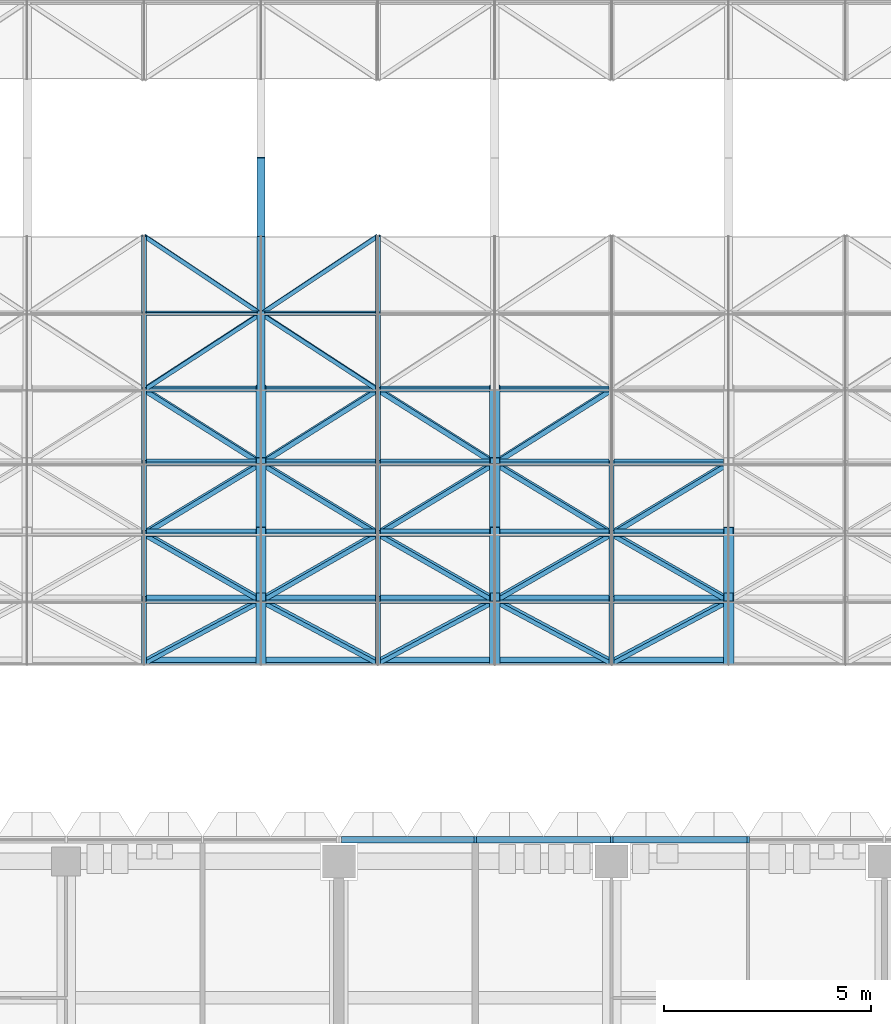
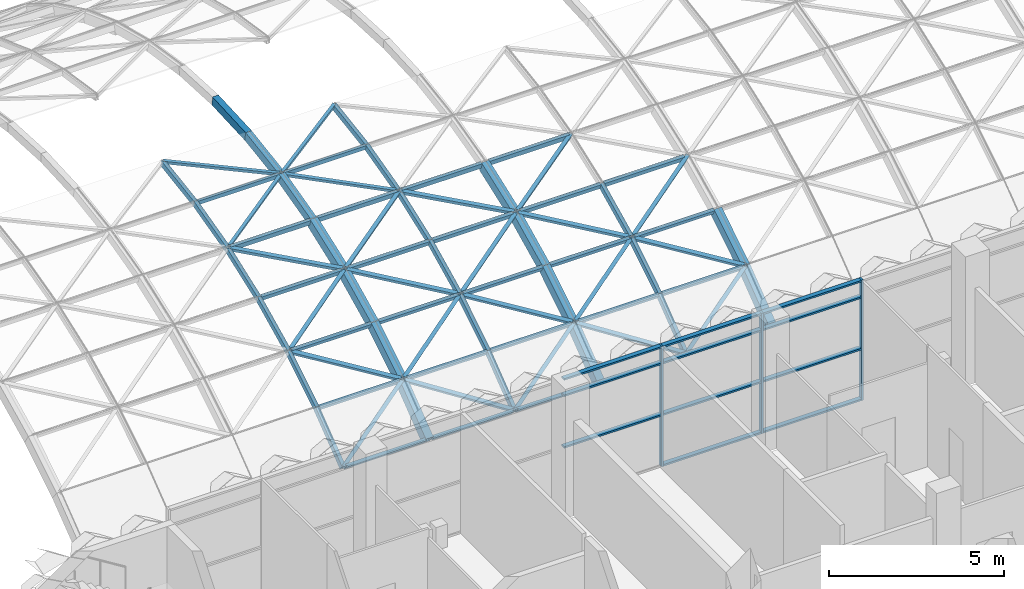
# One storey, part 11 of 85: 91 members, 1 element without a shape of its own.
"""IFC4 building model written with IfcOpenShell, lengths in metres."""

from ifc_helpers import new_model, si_unit, direction, frame, origin, origin_2d, place, context, subcontext, project, spatial, rectangle, hollow_rectangle, extrude, material, material_profile, profile_set, type_object, element, aggregate, save


model = new_model("IFC4")

# Units and contexts
model_context = context("Model", 3, precision=1e-05, world=origin(), true_north=direction((0.0, 1.0)))
body_context = subcontext(model_context, "Body", "Model", "MODEL_VIEW")
ifc_project = project(units=[si_unit("LENGTHUNIT", "METRE"), si_unit("AREAUNIT", "SQUARE_METRE"), si_unit("VOLUMEUNIT", "CUBIC_METRE"), si_unit("PLANEANGLEUNIT", "RADIAN"), si_unit("MASSUNIT", "GRAM", prefix="KILO")], contexts=[model_context])

# Site, building, storey
site_placement = place(None, origin())
site = spatial("IfcSite", under=ifc_project, at=site_placement, CompositionType="ELEMENT")
building_placement = place(site_placement, origin())
building = spatial("IfcBuilding", under=site, at=building_placement, Name="Lantern Court Research Institute", CompositionType="ELEMENT")
storey_placement = place(building_placement, frame((0.0, 0.0, 18.89990234375)))
storey = spatial("IfcBuildingStorey", under=building, at=storey_placement, Name="L04", CompositionType="ELEMENT", Elevation=18.89990234375)

# Members
ifc_material_1 = material(Name="Structural steel S355", Category="steel")
ifc_material_profile_1 = material_profile(ifc_material_1, hollow_rectangle(XDim=0.080078125, YDim=0.159912109375, WallThickness=0.00634765625, at=origin_2d()), Name="Gridshell crown purlin RHS 160 x 80 x 6.3")
ifc_profile_set_1 = profile_set([ifc_material_profile_1], Name="Structural steel S355")
member_type_1 = type_object("IfcMemberType", Name="Gridshell crown purlin RHS 160 x 80 x 6.3", PredefinedType="PURLIN", material=ifc_profile_set_1)
for number, where, z_axis, x_axis, name in (
    (1, (48.145751953125, 36.360107421875, 4.23974609375), (1.0, 0.0, 0.0), (0.0, 0.979787176632, 0.200042716708), "Gridshell purlin"),
    (2, (51.014404296875, 36.360107421875, 4.23974609375), (1.0, 0.0, 0.0), (0.0, 0.979787176632, 0.200042716708), "Gridshell purlin"),
):
    element("IfcMember", number, at=place(storey_placement, frame(where, z_axis=z_axis, x_axis=x_axis)), inside=storey, type_object=member_type_1, Name=name, PredefinedType="PURLIN", context=body_context, shape_type="SweptSolid", body=[
        extrude(hollow_rectangle(XDim=0.080078125, YDim=0.159912109375, WallThickness=0.00634765625, at=origin_2d()), origin(), (0.0, 0.0, 1.0), 2.66845703125),
    ])
ifc_material_2 = material(Name="Structural steel S355", Category="steel")
ifc_material_profile_2 = material_profile(ifc_material_2, hollow_rectangle(XDim=0.199951171875, YDim=0.300048828125, WallThickness=0.012451171875, at=origin_2d()), Name="Gridshell crown rib RHS 300 x 200 x 12.5")
ifc_profile_set_2 = profile_set([ifc_material_profile_2], Name="Structural steel S355")
member_type_2 = type_object("IfcMemberType", Name="Gridshell crown rib RHS 300 x 200 x 12.5", PredefinedType="RAFTER", material=ifc_profile_set_2)
for number, where, z_axis, x_axis, name in (
    (3, (50.914306640625, 34.5390625, 3.698974609375), (0.0, 0.968482319701, 0.249082308538), (-1.0, 0.0, 0.0), "Gridshell rib"),
    (4, (50.914306640625, 36.36669921875, 4.169677734375), (0.0, 0.988606386846, 0.150523791767), (-1.0, 0.0, 0.0), "Gridshell rib"),
    (5, (50.914306640625, 38.232421875, 4.45458984375), (0.0, 0.998734031897, 0.050302420725), (-1.0, 0.0, 0.0), "Gridshell rib"),
):
    element("IfcMember", number, at=place(storey_placement, frame(where, z_axis=z_axis, x_axis=x_axis)), inside=storey, type_object=member_type_2, Name=name, PredefinedType="RAFTER", context=body_context, shape_type="SweptSolid", body=[
        extrude(hollow_rectangle(XDim=0.199951171875, YDim=0.300048828125, WallThickness=0.012451171875, at=origin_2d()), origin(), (0.0, 0.0, 1.0), 1.902587890625),
    ])
ifc_material_3 = material(Name="Structural steel S355", Category="steel")
ifc_material_profile_3 = material_profile(ifc_material_3, hollow_rectangle(XDim=0.10009765625, YDim=0.10009765625, WallThickness=0.00634765625, at=origin_2d()), Name="Gridshell diagonal RHS 100 x 100 x 6.3")
ifc_profile_set_3 = profile_set([ifc_material_profile_3], Name="Structural steel S355")
member_type_3 = type_object("IfcMemberType", Name="Gridshell diagonal RHS 100 x 100 x 6.3", PredefinedType="BRACE", material=ifc_profile_set_3)
member_1_placement = place(storey_placement, frame((48.085693359375, 34.51416015625, 3.795654296875), z_axis=(0.829775619624, 0.540507215717, 0.139012124779), x_axis=(-0.558097142967, 0.803618783295, 0.206698887629)))
element("IfcMember", 6, at=member_1_placement, inside=storey, type_object=member_type_3, Name="Gridshell diagonal", PredefinedType="BRACE", context=body_context, shape_type="SweptSolid", body=[
    extrude(hollow_rectangle(XDim=0.10009765625, YDim=0.10009765625, WallThickness=0.00634765625, at=origin_2d()), origin(), (0.0, 0.0, 1.0), 3.408935546875),
])
member_2_placement = place(storey_placement, frame((50.914306640625, 36.351806640625, 4.2685546875), z_axis=(-0.82980233239, 0.551697511341, 0.084011577412), x_axis=(-0.558057423637, -0.82035435083, -0.124862528398)))
element("IfcMember", 7, at=member_2_placement, inside=storey, type_object=member_type_3, Name="Gridshell diagonal", PredefinedType="BRACE", context=body_context, shape_type="SweptSolid", body=[
    extrude(hollow_rectangle(XDim=0.10009765625, YDim=0.10009765625, WallThickness=0.00634765625, at=origin_2d()), origin(), (0.0, 0.0, 1.0), 3.40869140625),
])
member_3_placement = place(storey_placement, frame((53.742919921875, 34.51416015625, 3.795654296875), z_axis=(-0.829775619624, 0.540507215717, 0.139012124779), x_axis=(-0.558097142967, -0.803618783295, -0.206698887629)))
element("IfcMember", 8, at=member_3_placement, inside=storey, type_object=member_type_3, Name="Gridshell diagonal", PredefinedType="BRACE", context=body_context, shape_type="SweptSolid", body=[
    extrude(hollow_rectangle(XDim=0.10009765625, YDim=0.10009765625, WallThickness=0.00634765625, at=origin_2d()), origin(), (0.0, 0.0, 1.0), 3.408935546875),
])
member_4_placement = place(storey_placement, frame((50.914306640625, 36.351806640625, 4.2685546875), z_axis=(0.82980233239, 0.551697511341, 0.084011577412), x_axis=(-0.558057423637, 0.82035435083, 0.124862528398)))
element("IfcMember", 9, at=member_4_placement, inside=storey, type_object=member_type_3, Name="Gridshell diagonal", PredefinedType="BRACE", context=body_context, shape_type="SweptSolid", body=[
    extrude(hollow_rectangle(XDim=0.10009765625, YDim=0.10009765625, WallThickness=0.00634765625, at=origin_2d()), origin(), (0.0, 0.0, 1.0), 3.40869140625),
])
ifc_material_4 = material(Name="Structural steel S355", Category="steel")
ifc_material_profile_4 = material_profile(ifc_material_4, hollow_rectangle(XDim=0.1201171875, YDim=0.1201171875, WallThickness=0.008056640625, at=origin_2d()), Name="Gridshell haunch diagonal RHS 120 x 120 x 8")
ifc_profile_set_4 = profile_set([ifc_material_profile_4], Name="Structural steel S355")
member_type_4 = type_object("IfcMemberType", Name="Gridshell haunch diagonal RHS 120 x 120 x 8", PredefinedType="BRACE", material=ifc_profile_set_4)
for number, where, z_axis, x_axis, name in (
    (10, (48.085693359375, 27.9150390625, 0.148193359375), (0.82977993963, 0.442749834869, 0.339761439117), (-0.558090719968, 0.658279580966, 0.505175951099), "Gridshell diagonal"),
    (11, (50.914306640625, 29.419189453125, 1.302978515625), (-0.82977711353, 0.474690377048, 0.293494442538), (-0.558094919699, -0.705724175305, -0.436444096072), "Gridshell diagonal"),
    (12, (48.085693359375, 31.031982421875, 2.300537109375), (0.829773300042, 0.501760032806, 0.244362722229), (-0.558100591295, 0.746025342522, 0.363276641571), "Gridshell diagonal"),
    (13, (50.914306640625, 32.73681640625, 3.131103515625), (-0.829762838758, 0.523811962945, 0.192651651671), (-0.558116144955, -0.778754373318, -0.286440211525), "Gridshell diagonal"),
    (14, (53.742919921875, 27.9150390625, 0.148193359375), (-0.82977993963, 0.442749834869, 0.339761439117), (-0.558090719968, -0.658279580966, -0.505175951099), "Gridshell diagonal"),
    (15, (50.914306640625, 29.419189453125, 1.302978515625), (0.82977711353, 0.474690377048, 0.293494442538), (-0.558094919699, 0.705724175305, 0.436444096072), "Gridshell diagonal"),
    (16, (53.742919921875, 31.031982421875, 2.300537109375), (-0.829773300042, 0.501760032806, 0.244362722229), (-0.558100591295, -0.746025342522, -0.363276641571), "Gridshell diagonal"),
    (17, (50.914306640625, 32.73681640625, 3.131103515625), (0.829762838758, 0.523811962945, 0.192651651671), (-0.558116144955, 0.778754373318, 0.286440211525), "Gridshell diagonal"),
    (18, (53.742919921875, 27.9150390625, 0.148193359375), (0.82977993963, 0.442749834869, 0.339761439117), (-0.558090719968, 0.658279580966, 0.505175951099), "Gridshell diagonal"),
    (19, (56.571533203125, 29.419189453125, 1.302978515625), (-0.82977711353, 0.474690377048, 0.293494442538), (-0.558094919699, -0.705724175305, -0.436444096072), "Gridshell diagonal"),
    (20, (53.742919921875, 31.031982421875, 2.300537109375), (0.829773300042, 0.501760032806, 0.244362722229), (-0.558100591295, 0.746025342522, 0.363276641571), "Gridshell diagonal"),
    (21, (56.571533203125, 32.73681640625, 3.131103515625), (-0.829762838758, 0.523811962945, 0.192651651671), (-0.558116144955, -0.778754373318, -0.286440211525), "Gridshell diagonal"),
):
    element("IfcMember", number, at=place(storey_placement, frame(where, z_axis=z_axis, x_axis=x_axis)), inside=storey, type_object=member_type_4, Name=name, PredefinedType="BRACE", context=body_context, shape_type="SweptSolid", body=[
        extrude(hollow_rectangle(XDim=0.1201171875, YDim=0.1201171875, WallThickness=0.008056640625, at=origin_2d()), origin(), (0.0, 0.0, 1.0), 3.408935546875),
    ])
for number, where, z_axis, x_axis, name in (
    (22, (59.39990234375, 27.9150390625, 0.148193359375), (-0.829757630752, 0.442776147891, 0.339781631445), (-0.558123887656, -0.658254466927, -0.505172032874), "Gridshell diagonal"),
    (23, (56.571533203125, 29.419189453125, 1.302978515625), (0.829754804392, 0.474718588132, 0.293511885058), (-0.55812808698, 0.705699457062, 0.436441651113), "Gridshell diagonal"),
    (24, (59.39990234375, 31.031982421875, 2.300537109375), (-0.829750990554, 0.50178985238, 0.244377244693), (-0.558133759376, -0.746001196046, -0.363275270481), "Gridshell diagonal"),
    (25, (56.571533203125, 32.73681640625, 3.131103515625), (0.829740528308, 0.523843092278, 0.19266310066), (-0.558149312823, 0.778730842923, 0.28643955536), "Gridshell diagonal"),
):
    element("IfcMember", number, at=place(storey_placement, frame(where, z_axis=z_axis, x_axis=x_axis)), inside=storey, type_object=member_type_4, Name=name, PredefinedType="BRACE", context=body_context, shape_type="SweptSolid", body=[
        extrude(hollow_rectangle(XDim=0.1201171875, YDim=0.1201171875, WallThickness=0.008056640625, at=origin_2d()), origin(), (0.0, 0.0, 1.0), 3.40869140625),
    ])
for number, where, z_axis, x_axis, name in (
    (26, (59.39990234375, 27.9150390625, 0.148193359375), (0.82977993963, 0.442749834869, 0.339761439117), (-0.558090719968, 0.658279580966, 0.505175951099), "Gridshell diagonal"),
    (27, (62.228515625, 29.419189453125, 1.302978515625), (-0.82977711353, 0.474690377048, 0.293494442538), (-0.558094919699, -0.705724175305, -0.436444096072), "Gridshell diagonal"),
    (28, (59.39990234375, 31.031982421875, 2.300537109375), (0.829773300042, 0.501760032806, 0.244362722229), (-0.558100591295, 0.746025342522, 0.363276641571), "Gridshell diagonal"),
):
    element("IfcMember", number, at=place(storey_placement, frame(where, z_axis=z_axis, x_axis=x_axis)), inside=storey, type_object=member_type_4, Name=name, PredefinedType="BRACE", context=body_context, shape_type="SweptSolid", body=[
        extrude(hollow_rectangle(XDim=0.1201171875, YDim=0.1201171875, WallThickness=0.008056640625, at=origin_2d()), origin(), (0.0, 0.0, 1.0), 3.408935546875),
    ])
ifc_material_5 = material(Name="Structural steel S355", Category="steel")
ifc_material_profile_5 = material_profile(ifc_material_5, hollow_rectangle(XDim=0.25, YDim=0.35009765625, WallThickness=0.01611328125, at=origin_2d()), Name="Gridshell haunch rib RHS 350 x 250 x 16")
ifc_profile_set_5 = profile_set([ifc_material_profile_5], Name="Structural steel S355")
member_type_5 = type_object("IfcMemberType", Name="Gridshell haunch rib RHS 350 x 250 x 16", PredefinedType="RAFTER", material=ifc_profile_set_5)
member_5_placement = place(storey_placement, frame((50.914306640625, 27.985107421875, 0.056884765625), z_axis=(0.0, 0.793329505358, 0.608792490039), x_axis=(-1.0, 0.0, 0.0)))
element("IfcMember", 29, at=member_5_placement, inside=storey, type_object=member_type_5, Name="Gridshell rib", PredefinedType="RAFTER", context=body_context, shape_type="SweptSolid", body=[
    extrude(hollow_rectangle(XDim=0.25, YDim=0.35009765625, WallThickness=0.01611328125, at=origin_2d()), origin(), (0.0, 0.0, 1.0), 1.90234375),
])
member_6_placement = place(storey_placement, frame((50.914306640625, 29.479736328125, 1.205078125), z_axis=(0.0, 0.850497510265, 0.525979072809), x_axis=(-1.0, 0.0, 0.0)))
element("IfcMember", 30, at=member_6_placement, inside=storey, type_object=member_type_5, Name="Gridshell rib", PredefinedType="RAFTER", context=body_context, shape_type="SweptSolid", body=[
    extrude(hollow_rectangle(XDim=0.25, YDim=0.35009765625, WallThickness=0.01611328125, at=origin_2d()), origin(), (0.0, 0.0, 1.0), 1.902587890625),
])
for number, where, z_axis, x_axis, name in (
    (31, (50.914306640625, 31.082275390625, 2.197265625), (0.0, 0.899099966644, 0.437743360865), (-1.0, 0.0, 0.0), "Gridshell rib"),
    (32, (50.914306640625, 32.776611328125, 3.023193359375), (0.0, 0.938520472327, 0.345223584105), (-1.0, 0.0, 0.0), "Gridshell rib"),
    (33, (56.571533203125, 27.985107421875, 0.056884765625), (0.0, 0.793329505358, 0.608792490039), (-1.0, 0.0, 0.0), "Gridshell rib"),
):
    element("IfcMember", number, at=place(storey_placement, frame(where, z_axis=z_axis, x_axis=x_axis)), inside=storey, type_object=member_type_5, Name=name, PredefinedType="RAFTER", context=body_context, shape_type="SweptSolid", body=[
        extrude(hollow_rectangle(XDim=0.25, YDim=0.35009765625, WallThickness=0.01611328125, at=origin_2d()), origin(), (0.0, 0.0, 1.0), 1.90234375),
    ])
member_7_placement = place(storey_placement, frame((56.571533203125, 29.479736328125, 1.205078125), z_axis=(0.0, 0.850497510265, 0.525979072809), x_axis=(-1.0, 0.0, 0.0)))
element("IfcMember", 34, at=member_7_placement, inside=storey, type_object=member_type_5, Name="Gridshell rib", PredefinedType="RAFTER", context=body_context, shape_type="SweptSolid", body=[
    extrude(hollow_rectangle(XDim=0.25, YDim=0.35009765625, WallThickness=0.01611328125, at=origin_2d()), origin(), (0.0, 0.0, 1.0), 1.902587890625),
])
for number, where, z_axis, x_axis, name in (
    (35, (56.571533203125, 31.082275390625, 2.197265625), (0.0, 0.899099966644, 0.437743360865), (-1.0, 0.0, 0.0), "Gridshell rib"),
    (36, (56.571533203125, 32.776611328125, 3.023193359375), (0.0, 0.938520472327, 0.345223584105), (-1.0, 0.0, 0.0), "Gridshell rib"),
    (37, (62.228515625, 27.985107421875, 0.056884765625), (0.0, 0.793329505358, 0.608792490039), (-1.0, 0.0, 0.0), "Gridshell rib"),
):
    element("IfcMember", number, at=place(storey_placement, frame(where, z_axis=z_axis, x_axis=x_axis)), inside=storey, type_object=member_type_5, Name=name, PredefinedType="RAFTER", context=body_context, shape_type="SweptSolid", body=[
        extrude(hollow_rectangle(XDim=0.25, YDim=0.35009765625, WallThickness=0.01611328125, at=origin_2d()), origin(), (0.0, 0.0, 1.0), 1.90234375),
    ])
member_8_placement = place(storey_placement, frame((62.228515625, 29.479736328125, 1.205078125), z_axis=(0.0, 0.850497510265, 0.525979072809), x_axis=(-1.0, 0.0, 0.0)))
element("IfcMember", 38, at=member_8_placement, inside=storey, type_object=member_type_5, Name="Gridshell rib", PredefinedType="RAFTER", context=body_context, shape_type="SweptSolid", body=[
    extrude(hollow_rectangle(XDim=0.25, YDim=0.35009765625, WallThickness=0.01611328125, at=origin_2d()), origin(), (0.0, 0.0, 1.0), 1.902587890625),
])
ifc_material_6 = material(Name="Structural steel S355", Category="steel")
ifc_material_profile_6 = material_profile(ifc_material_6, hollow_rectangle(XDim=0.10009765625, YDim=0.199951171875, WallThickness=0.008056640625, at=origin_2d()), Name="Gridshell purlin RHS 200 x 100 x 8")
ifc_profile_set_6 = profile_set([ifc_material_profile_6], Name="Structural steel S355")
member_type_6 = type_object("IfcMemberType", Name="Gridshell purlin RHS 200 x 100 x 8", PredefinedType="PURLIN", material=ifc_profile_set_6)
for number, where, z_axis, x_axis, name in (
    (39, (48.145751953125, 27.943359375, 0.11962890625), (1.0, 0.0, 0.0), (0.0, 0.761672913152, 0.647961706717), "Gridshell purlin"),
    (40, (51.039306640625, 27.943359375, 0.11962890625), (1.0, 0.0, 0.0), (0.0, 0.761672913152, 0.647961706717), "Gridshell purlin"),
    (41, (53.802978515625, 27.943359375, 0.11962890625), (1.0, 0.0, 0.0), (0.0, 0.761672913152, 0.647961706717), "Gridshell purlin"),
    (42, (56.696533203125, 27.943359375, 0.11962890625), (1.0, 0.0, 0.0), (0.0, 0.761672913152, 0.647961706717), "Gridshell purlin"),
    (43, (59.4599609375, 27.943359375, 0.11962890625), (1.0, 0.0, 0.0), (0.0, 0.761672913152, 0.647961706717), "Gridshell purlin"),
    (44, (48.145751953125, 29.444580078125, 1.271728515625), (1.0, 0.0, 0.0), (0.0, 0.822954255966, 0.568107641726), "Gridshell purlin"),
    (45, (51.039306640625, 29.444580078125, 1.271728515625), (1.0, 0.0, 0.0), (0.0, 0.822954255966, 0.568107641726), "Gridshell purlin"),
    (46, (53.802978515625, 29.444580078125, 1.271728515625), (1.0, 0.0, 0.0), (0.0, 0.822954255966, 0.568107641726), "Gridshell purlin"),
    (47, (56.696533203125, 29.444580078125, 1.271728515625), (1.0, 0.0, 0.0), (0.0, 0.822954255966, 0.568107641726), "Gridshell purlin"),
    (48, (59.4599609375, 29.444580078125, 1.271728515625), (1.0, 0.0, 0.0), (0.0, 0.822954255966, 0.568107641726), "Gridshell purlin"),
    (49, (48.145751953125, 31.053955078125, 2.266845703125), (1.0, 0.0, 0.0), (0.0, 0.875897373228, 0.482497452399), "Gridshell purlin"),
    (50, (51.039306640625, 31.053955078125, 2.266845703125), (1.0, 0.0, 0.0), (0.0, 0.875897373228, 0.482497452399), "Gridshell purlin"),
    (51, (53.802978515625, 31.053955078125, 2.266845703125), (1.0, 0.0, 0.0), (0.0, 0.875897373228, 0.482497452399), "Gridshell purlin"),
    (52, (56.696533203125, 31.053955078125, 2.266845703125), (1.0, 0.0, 0.0), (0.0, 0.875897373228, 0.482497452399), "Gridshell purlin"),
    (53, (59.4599609375, 31.053955078125, 2.266845703125), (1.0, 0.0, 0.0), (0.0, 0.875897373228, 0.482497452399), "Gridshell purlin"),
    (54, (48.145751953125, 32.75537109375, 3.095458984375), (1.0, 0.0, 0.0), (0.0, 0.919965822984, 0.391998577219), "Gridshell purlin"),
    (55, (51.039306640625, 32.75537109375, 3.095458984375), (1.0, 0.0, 0.0), (0.0, 0.919965822984, 0.391998577219), "Gridshell purlin"),
    (56, (53.802978515625, 32.75537109375, 3.095458984375), (1.0, 0.0, 0.0), (0.0, 0.919965822984, 0.391998577219), "Gridshell purlin"),
    (57, (56.696533203125, 32.75537109375, 3.095458984375), (1.0, 0.0, 0.0), (0.0, 0.919965822984, 0.391998577219), "Gridshell purlin"),
    (58, (59.4599609375, 32.75537109375, 3.095458984375), (1.0, 0.0, 0.0), (0.0, 0.919965822984, 0.391998577219), "Gridshell purlin"),
    (59, (48.145751953125, 34.531494140625, 3.748779296875), (1.0, 0.0, 0.0), (0.0, 0.954713115517, 0.29752792652), "Gridshell purlin"),
    (60, (51.039306640625, 34.531494140625, 3.748779296875), (1.0, 0.0, 0.0), (0.0, 0.954713115517, 0.29752792652), "Gridshell purlin"),
    (61, (53.802978515625, 34.531494140625, 3.748779296875), (1.0, 0.0, 0.0), (0.0, 0.954713115517, 0.29752792652), "Gridshell purlin"),
    (62, (56.696533203125, 34.531494140625, 3.748779296875), (1.0, 0.0, 0.0), (0.0, 0.954713115517, 0.29752792652), "Gridshell purlin"),
):
    element("IfcMember", number, at=place(storey_placement, frame(where, z_axis=z_axis, x_axis=x_axis)), inside=storey, type_object=member_type_6, Name=name, PredefinedType="PURLIN", context=body_context, shape_type="SweptSolid", body=[
        extrude(hollow_rectangle(XDim=0.10009765625, YDim=0.199951171875, WallThickness=0.008056640625, at=origin_2d()), origin(), (0.0, 0.0, 1.0), 2.6435546875),
    ])
ifc_material_7 = material(Name="Structural steel S355", Category="steel")
ifc_material_profile_7 = material_profile(ifc_material_7, hollow_rectangle(XDim=0.1201171875, YDim=0.199951171875, WallThickness=0.008056640625, at=origin_2d()), Name="Gridshell secondary rib RHS 200 x 120 x 8")
ifc_profile_set_7 = profile_set([ifc_material_profile_7], Name="Structural steel S355")
member_type_7 = type_object("IfcMemberType", Name="Gridshell secondary rib RHS 200 x 120 x 8", PredefinedType="RAFTER", material=ifc_profile_set_7)
for number, where, z_axis, x_axis, name in (
    (63, (48.085693359375, 27.939453125, 0.116455078125), (0.0, 0.793329505358, 0.608792490039), (-1.0, 0.0, 0.0), "Gridshell secondary rib"),
    (64, (48.085693359375, 29.4404296875, 1.268798828125), (0.0, 0.850462004525, 0.526036480541), (-1.0, 0.0, 0.0), "Gridshell secondary rib"),
):
    element("IfcMember", number, at=place(storey_placement, frame(where, z_axis=z_axis, x_axis=x_axis)), inside=storey, type_object=member_type_7, Name=name, PredefinedType="RAFTER", context=body_context, shape_type="SweptSolid", body=[
        extrude(hollow_rectangle(XDim=0.1201171875, YDim=0.199951171875, WallThickness=0.008056640625, at=origin_2d()), origin(), (0.0, 0.0, 1.0), 1.90234375),
    ])
member_9_placement = place(storey_placement, frame((48.085693359375, 31.049560546875, 2.2646484375), z_axis=(0.0, 0.899049454889, 0.437847093931), x_axis=(-1.0, 0.0, 0.0)))
element("IfcMember", 65, at=member_9_placement, inside=storey, type_object=member_type_7, Name="Gridshell secondary rib", PredefinedType="RAFTER", context=body_context, shape_type="SweptSolid", body=[
    extrude(hollow_rectangle(XDim=0.1201171875, YDim=0.199951171875, WallThickness=0.008056640625, at=origin_2d()), origin(), (0.0, 0.0, 1.0), 1.902587890625),
])
member_10_placement = place(storey_placement, frame((48.085693359375, 32.750732421875, 3.093505859375), z_axis=(0.0, 0.938520472327, 0.345223584105), x_axis=(-1.0, 0.0, 0.0)))
element("IfcMember", 66, at=member_10_placement, inside=storey, type_object=member_type_7, Name="Gridshell secondary rib", PredefinedType="RAFTER", context=body_context, shape_type="SweptSolid", body=[
    extrude(hollow_rectangle(XDim=0.1201171875, YDim=0.199951171875, WallThickness=0.008056640625, at=origin_2d()), origin(), (0.0, 0.0, 1.0), 1.90234375),
])
for number, where, z_axis, x_axis, name in (
    (67, (48.085693359375, 34.526611328125, 3.747314453125), (0.0, 0.968482319701, 0.249082308538), (-1.0, 0.0, 0.0), "Gridshell secondary rib"),
    (68, (48.085693359375, 36.359130859375, 4.21923828125), (0.0, 0.988625474964, 0.15039837184), (-1.0, 0.0, 0.0), "Gridshell secondary rib"),
):
    element("IfcMember", number, at=place(storey_placement, frame(where, z_axis=z_axis, x_axis=x_axis)), inside=storey, type_object=member_type_7, Name=name, PredefinedType="RAFTER", context=body_context, shape_type="SweptSolid", body=[
        extrude(hollow_rectangle(XDim=0.1201171875, YDim=0.199951171875, WallThickness=0.008056640625, at=origin_2d()), origin(), (0.0, 0.0, 1.0), 1.902587890625),
    ])
for number, where, z_axis, x_axis, name in (
    (69, (53.742919921875, 27.939453125, 0.116455078125), (0.0, 0.793329505358, 0.608792490039), (-1.0, 0.0, 0.0), "Gridshell secondary rib"),
    (70, (53.742919921875, 29.4404296875, 1.268798828125), (0.0, 0.850462004525, 0.526036480541), (-1.0, 0.0, 0.0), "Gridshell secondary rib"),
):
    element("IfcMember", number, at=place(storey_placement, frame(where, z_axis=z_axis, x_axis=x_axis)), inside=storey, type_object=member_type_7, Name=name, PredefinedType="RAFTER", context=body_context, shape_type="SweptSolid", body=[
        extrude(hollow_rectangle(XDim=0.1201171875, YDim=0.199951171875, WallThickness=0.008056640625, at=origin_2d()), origin(), (0.0, 0.0, 1.0), 1.90234375),
    ])
member_11_placement = place(storey_placement, frame((53.742919921875, 31.049560546875, 2.2646484375), z_axis=(0.0, 0.899049454889, 0.437847093931), x_axis=(-1.0, 0.0, 0.0)))
element("IfcMember", 71, at=member_11_placement, inside=storey, type_object=member_type_7, Name="Gridshell secondary rib", PredefinedType="RAFTER", context=body_context, shape_type="SweptSolid", body=[
    extrude(hollow_rectangle(XDim=0.1201171875, YDim=0.199951171875, WallThickness=0.008056640625, at=origin_2d()), origin(), (0.0, 0.0, 1.0), 1.902587890625),
])
member_12_placement = place(storey_placement, frame((53.742919921875, 32.750732421875, 3.093505859375), z_axis=(0.0, 0.938520472327, 0.345223584105), x_axis=(-1.0, 0.0, 0.0)))
element("IfcMember", 72, at=member_12_placement, inside=storey, type_object=member_type_7, Name="Gridshell secondary rib", PredefinedType="RAFTER", context=body_context, shape_type="SweptSolid", body=[
    extrude(hollow_rectangle(XDim=0.1201171875, YDim=0.199951171875, WallThickness=0.008056640625, at=origin_2d()), origin(), (0.0, 0.0, 1.0), 1.90234375),
])
for number, where, z_axis, x_axis, name in (
    (73, (53.742919921875, 34.526611328125, 3.747314453125), (0.0, 0.968482319701, 0.249082308538), (-1.0, 0.0, 0.0), "Gridshell secondary rib"),
    (74, (53.742919921875, 36.359130859375, 4.21923828125), (0.0, 0.988625474964, 0.15039837184), (-1.0, 0.0, 0.0), "Gridshell secondary rib"),
):
    element("IfcMember", number, at=place(storey_placement, frame(where, z_axis=z_axis, x_axis=x_axis)), inside=storey, type_object=member_type_7, Name=name, PredefinedType="RAFTER", context=body_context, shape_type="SweptSolid", body=[
        extrude(hollow_rectangle(XDim=0.1201171875, YDim=0.199951171875, WallThickness=0.008056640625, at=origin_2d()), origin(), (0.0, 0.0, 1.0), 1.902587890625),
    ])
for number, where, z_axis, x_axis, name in (
    (75, (59.39990234375, 27.939453125, 0.116455078125), (0.0, 0.793329505358, 0.608792490039), (-1.0, 0.0, 0.0), "Gridshell secondary rib"),
    (76, (59.39990234375, 29.4404296875, 1.268798828125), (0.0, 0.850462004525, 0.526036480541), (-1.0, 0.0, 0.0), "Gridshell secondary rib"),
):
    element("IfcMember", number, at=place(storey_placement, frame(where, z_axis=z_axis, x_axis=x_axis)), inside=storey, type_object=member_type_7, Name=name, PredefinedType="RAFTER", context=body_context, shape_type="SweptSolid", body=[
        extrude(hollow_rectangle(XDim=0.1201171875, YDim=0.199951171875, WallThickness=0.008056640625, at=origin_2d()), origin(), (0.0, 0.0, 1.0), 1.90234375),
    ])
member_13_placement = place(storey_placement, frame((59.39990234375, 31.049560546875, 2.2646484375), z_axis=(0.0, 0.899049454889, 0.437847093931), x_axis=(-1.0, 0.0, 0.0)))
element("IfcMember", 77, at=member_13_placement, inside=storey, type_object=member_type_7, Name="Gridshell secondary rib", PredefinedType="RAFTER", context=body_context, shape_type="SweptSolid", body=[
    extrude(hollow_rectangle(XDim=0.1201171875, YDim=0.199951171875, WallThickness=0.008056640625, at=origin_2d()), origin(), (0.0, 0.0, 1.0), 1.902587890625),
])

# Curtain wall, members
ifc_material_8 = material(Name="Aluminium alloy 6063-T6", Category="aluminium")
curtain_wall_type = type_object("IfcCurtainWallType", Name="Curtain wall 19600 x 4200 x 150 aluminium frame", PredefinedType="NOTDEFINED", material=ifc_material_8)
curtain_wall_placement = place(storey_placement, origin())
curtain_wall = element("IfcCurtainWall", 78, at=curtain_wall_placement, inside=storey, type_object=curtain_wall_type, Name="Curtain wall CW066", PredefinedType="NOTDEFINED")
ifc_material_9 = material(Name="Aluminium alloy 6063-T6", Category="aluminium")
ifc_material_profile_8 = material_profile(ifc_material_9, rectangle(XDim=0.14990234375, YDim=0.06005859375, at=origin_2d()), Name="Mullion 150 x 60")
ifc_profile_set_8 = profile_set([ifc_material_profile_8], Name="Aluminium alloy 6063-T6")
member_type_8 = type_object("IfcMemberType", Name="Mullion 150 x 60 aluminium", PredefinedType="MULLION", material=ifc_profile_set_8)
member_14_placement = place(storey_placement, frame((56.10009765625, 23.625, 0.0), z_axis=(0.0, 0.0, 1.0), x_axis=(0.0, 1.0, 0.0)))
member_14 = element("IfcMember", 79, at=member_14_placement, type_object=member_type_8, Name="CW066 mullion 2", PredefinedType="MULLION", context=body_context, shape_type="SweptSolid", body=[
    extrude(rectangle(XDim=0.14990234375, YDim=0.06005859375, at=origin_2d()), origin(), (0.0, 0.0, 1.0), 4.2001953125),
])
member_15_placement = place(storey_placement, frame((59.39990234375, 23.625, 0.0), z_axis=(0.0, 0.0, 1.0), x_axis=(0.0, 1.0, 0.0)))
member_15 = element("IfcMember", 80, at=member_15_placement, type_object=member_type_8, Name="CW066 mullion 3", PredefinedType="MULLION", context=body_context, shape_type="SweptSolid", body=[
    extrude(rectangle(XDim=0.14990234375, YDim=0.06005859375, at=origin_2d()), origin(), (0.0, 0.0, 1.0), 4.2001953125),
])
member_16_placement = place(storey_placement, frame((62.699951171875, 23.625, 0.0), z_axis=(0.0, 0.0, 1.0), x_axis=(0.0, 1.0, 0.0)))
member_16 = element("IfcMember", 81, at=member_16_placement, type_object=member_type_8, Name="CW066 mullion 4", PredefinedType="MULLION", context=body_context, shape_type="SweptSolid", body=[
    extrude(rectangle(XDim=0.14990234375, YDim=0.06005859375, at=origin_2d()), origin(), (0.0, 0.0, 1.0), 4.2001953125),
])
ifc_material_10 = material(Name="Aluminium alloy 6063-T6", Category="aluminium")
ifc_material_profile_9 = material_profile(ifc_material_10, rectangle(XDim=0.14990234375, YDim=0.06005859375, at=origin_2d()), Name="Transom 150 x 60")
ifc_profile_set_9 = profile_set([ifc_material_profile_9], Name="Aluminium alloy 6063-T6")
member_type_9 = type_object("IfcMemberType", Name="Transom 150 x 60 aluminium", PredefinedType="USERDEFINED", material=ifc_profile_set_9)
member_17_placement = place(storey_placement, frame((52.860107421875, 23.625, 1.800048828125), z_axis=(1.0, 0.0, 0.0), x_axis=(0.0, 1.0, 0.0)))
member_17 = element("IfcMember", 82, at=member_17_placement, type_object=member_type_9, Name="CW066 transom 1.2", ObjectType="TRANSOM", PredefinedType="USERDEFINED", context=body_context, shape_type="SweptSolid", body=[
    extrude(rectangle(XDim=0.14990234375, YDim=0.06005859375, at=origin_2d()), origin(), (0.0, 0.0, 1.0), 3.2099609375),
])
member_18_placement = place(storey_placement, frame((52.860107421875, 23.625, 3.60009765625), z_axis=(1.0, 0.0, 0.0), x_axis=(0.0, 1.0, 0.0)))
member_18 = element("IfcMember", 83, at=member_18_placement, type_object=member_type_9, Name="CW066 transom 1.3", ObjectType="TRANSOM", PredefinedType="USERDEFINED", context=body_context, shape_type="SweptSolid", body=[
    extrude(rectangle(XDim=0.14990234375, YDim=0.06005859375, at=origin_2d()), origin(), (0.0, 0.0, 1.0), 3.2099609375),
])
member_19_placement = place(storey_placement, frame((52.860107421875, 23.625, 4.170166015625), z_axis=(1.0, 0.0, 0.0), x_axis=(0.0, 1.0, 0.0)))
member_19 = element("IfcMember", 84, at=member_19_placement, type_object=member_type_9, Name="CW066 transom 1.4", ObjectType="TRANSOM", PredefinedType="USERDEFINED", context=body_context, shape_type="SweptSolid", body=[
    extrude(rectangle(XDim=0.14990234375, YDim=0.06005859375, at=origin_2d()), origin(), (0.0, 0.0, 1.0), 3.2099609375),
])
member_20_placement = place(storey_placement, frame((56.1298828125, 23.625, 0.030029296875), z_axis=(1.0, 0.0, 0.0), x_axis=(0.0, 1.0, 0.0)))
member_20 = element("IfcMember", 85, at=member_20_placement, type_object=member_type_9, Name="CW066 transom 2.1", ObjectType="TRANSOM", PredefinedType="USERDEFINED", context=body_context, shape_type="SweptSolid", body=[
    extrude(rectangle(XDim=0.14990234375, YDim=0.06005859375, at=origin_2d()), origin(), (0.0, 0.0, 1.0), 3.240234375),
])
member_21_placement = place(storey_placement, frame((56.1298828125, 23.625, 1.800048828125), z_axis=(1.0, 0.0, 0.0), x_axis=(0.0, 1.0, 0.0)))
member_21 = element("IfcMember", 86, at=member_21_placement, type_object=member_type_9, Name="CW066 transom 2.2", ObjectType="TRANSOM", PredefinedType="USERDEFINED", context=body_context, shape_type="SweptSolid", body=[
    extrude(rectangle(XDim=0.14990234375, YDim=0.06005859375, at=origin_2d()), origin(), (0.0, 0.0, 1.0), 3.240234375),
])
member_22_placement = place(storey_placement, frame((56.1298828125, 23.625, 3.60009765625), z_axis=(1.0, 0.0, 0.0), x_axis=(0.0, 1.0, 0.0)))
member_22 = element("IfcMember", 87, at=member_22_placement, type_object=member_type_9, Name="CW066 transom 2.3", ObjectType="TRANSOM", PredefinedType="USERDEFINED", context=body_context, shape_type="SweptSolid", body=[
    extrude(rectangle(XDim=0.14990234375, YDim=0.06005859375, at=origin_2d()), origin(), (0.0, 0.0, 1.0), 3.240234375),
])
member_23_placement = place(storey_placement, frame((56.1298828125, 23.625, 4.170166015625), z_axis=(1.0, 0.0, 0.0), x_axis=(0.0, 1.0, 0.0)))
member_23 = element("IfcMember", 88, at=member_23_placement, type_object=member_type_9, Name="CW066 transom 2.4", ObjectType="TRANSOM", PredefinedType="USERDEFINED", context=body_context, shape_type="SweptSolid", body=[
    extrude(rectangle(XDim=0.14990234375, YDim=0.06005859375, at=origin_2d()), origin(), (0.0, 0.0, 1.0), 3.240234375),
])
member_24_placement = place(storey_placement, frame((59.429931640625, 23.625, 0.030029296875), z_axis=(1.0, 0.0, 0.0), x_axis=(0.0, 1.0, 0.0)))
member_24 = element("IfcMember", 89, at=member_24_placement, type_object=member_type_9, Name="CW066 transom 3.1", ObjectType="TRANSOM", PredefinedType="USERDEFINED", context=body_context, shape_type="SweptSolid", body=[
    extrude(rectangle(XDim=0.14990234375, YDim=0.06005859375, at=origin_2d()), origin(), (0.0, 0.0, 1.0), 3.239990234375),
])
member_25_placement = place(storey_placement, frame((59.429931640625, 23.625, 1.800048828125), z_axis=(1.0, 0.0, 0.0), x_axis=(0.0, 1.0, 0.0)))
member_25 = element("IfcMember", 90, at=member_25_placement, type_object=member_type_9, Name="CW066 transom 3.2", ObjectType="TRANSOM", PredefinedType="USERDEFINED", context=body_context, shape_type="SweptSolid", body=[
    extrude(rectangle(XDim=0.14990234375, YDim=0.06005859375, at=origin_2d()), origin(), (0.0, 0.0, 1.0), 3.239990234375),
])
member_26_placement = place(storey_placement, frame((59.429931640625, 23.625, 3.60009765625), z_axis=(1.0, 0.0, 0.0), x_axis=(0.0, 1.0, 0.0)))
member_26 = element("IfcMember", 91, at=member_26_placement, type_object=member_type_9, Name="CW066 transom 3.3", ObjectType="TRANSOM", PredefinedType="USERDEFINED", context=body_context, shape_type="SweptSolid", body=[
    extrude(rectangle(XDim=0.14990234375, YDim=0.06005859375, at=origin_2d()), origin(), (0.0, 0.0, 1.0), 3.239990234375),
])
member_27_placement = place(storey_placement, frame((59.429931640625, 23.625, 4.170166015625), z_axis=(1.0, 0.0, 0.0), x_axis=(0.0, 1.0, 0.0)))
member_27 = element("IfcMember", 92, at=member_27_placement, type_object=member_type_9, Name="CW066 transom 3.4", ObjectType="TRANSOM", PredefinedType="USERDEFINED", context=body_context, shape_type="SweptSolid", body=[
    extrude(rectangle(XDim=0.14990234375, YDim=0.06005859375, at=origin_2d()), origin(), (0.0, 0.0, 1.0), 3.239990234375),
])
aggregate(curtain_wall, [member_14, member_15, member_16, member_17, member_18, member_19, member_20, member_21, member_22, member_23, member_24, member_25, member_26, member_27])

save(model, "model.ifc")
